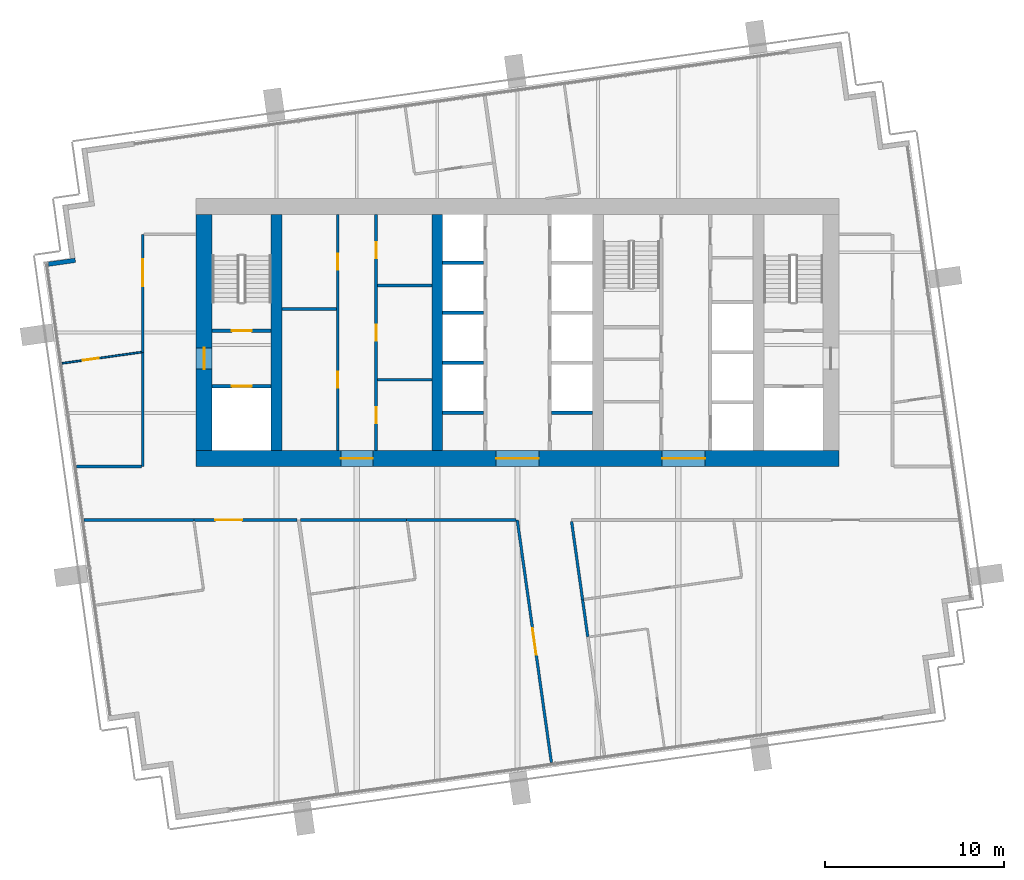
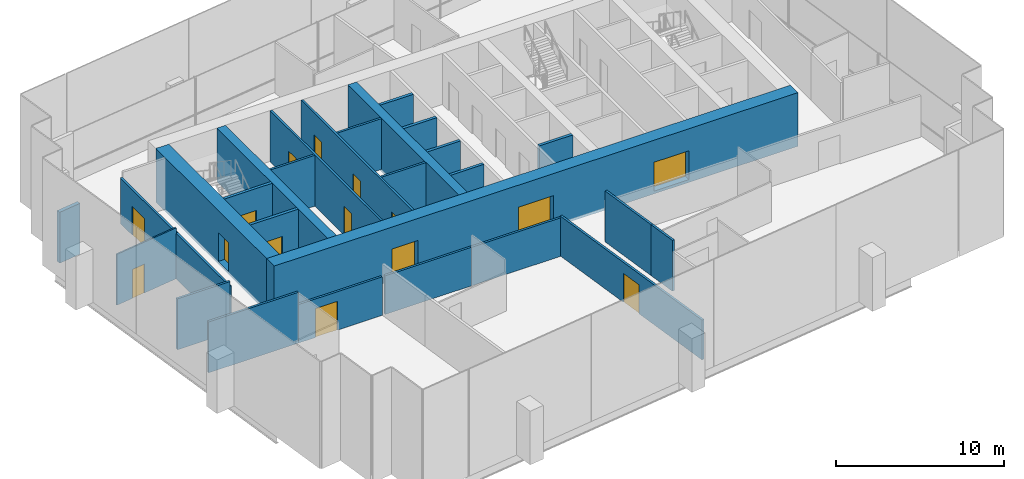
# One storey, part 8 of 15: 28 walls, 15 doors, 15 openings.
"""IFC4 building model written with IfcOpenShell, lengths in metres."""

from ifc_helpers import new_model, si_unit, direction, frame, frame_2d, origin, place, context, subcontext, project, spatial, rectangle, extrude, material, layer, layer_set, type_object, element, fill, save


model = new_model("IFC4")

# Units and contexts
model_context = context("Model", 3, precision=1e-05, world=origin(), true_north=direction((0.0, 1.0)))
body_context = subcontext(model_context, "Body", "Model", "MODEL_VIEW")
ifc_project = project(units=[si_unit("LENGTHUNIT", "METRE"), si_unit("AREAUNIT", "SQUARE_METRE"), si_unit("VOLUMEUNIT", "CUBIC_METRE"), si_unit("PLANEANGLEUNIT", "RADIAN"), si_unit("MASSUNIT", "GRAM", prefix="KILO")], contexts=[model_context])

# Site, building, storey
site_placement = place(None, origin())
site = spatial("IfcSite", under=ifc_project, at=site_placement, CompositionType="ELEMENT")
building_placement = place(site_placement, origin())
building = spatial("IfcBuilding", under=site, at=building_placement, Name="Rattan Terrace Tower", CompositionType="ELEMENT")
storey_placement = place(building_placement, frame((0.0, 0.0, 278.5)))
storey = spatial("IfcBuildingStorey", under=building, at=storey_placement, Name="L64", CompositionType="ELEMENT", Elevation=278.5)

# Wall, openings, doors
ifc_material_1 = material(Name="Gypsum board partition")
ifc_layer_1 = layer(ifc_material_1, 0.14990234375)
ifc_layer_set_1 = layer_set([ifc_layer_1], Name="Core partition 150")
wall_type_1 = type_object("IfcWallType", Name="Core partition 150", PredefinedType="PARTITIONING", material=ifc_layer_set_1)
wall_1_placement = place(storey_placement, frame((-10.074951171875, -6.60009765625, 0.0), z_axis=(0.0, 0.0, 1.0), x_axis=(0.0, 1.0, 0.0)))
wall_1 = element("IfcWall", 1, at=wall_1_placement, inside=storey, type_object=wall_type_1, Name="Core room wall", PredefinedType="PARTITIONING", context=body_context, shape_type="SweptSolid", body=[
    extrude(rectangle(XDim=13.2001953125, YDim=0.14990234375, at=frame_2d((6.60009765625, 0.0))), origin(), (0.0, 0.0, 1.0), 3.699951171875),
])
opening_1_placement = place(wall_1_placement, frame((3.510009765625, 0.0, 0.0)))
opening_1 = element("IfcOpeningElement", 2, at=opening_1_placement, cuts=wall_1, Name="Opening L64-D005", PredefinedType="OPENING", context=body_context, shape_type="SweptSolid", body=[
    extrude(rectangle(XDim=0.89990234375, YDim=2.10009765625, at=frame_2d((0.449951171875, 1.050048828125))), frame((0.0, 0.08544921875, 0.0), z_axis=(0.0, -1.0, 0.0), x_axis=(1.0, 0.0, 0.0)), (0.0, 0.0, 1.0), 0.1708984375),
])
opening_2_placement = place(wall_1_placement, frame((10.110107421875, 0.0, 0.0)))
opening_2 = element("IfcOpeningElement", 3, at=opening_2_placement, cuts=wall_1, Name="Opening L64-D006", PredefinedType="OPENING", context=body_context, shape_type="SweptSolid", body=[
    extrude(rectangle(XDim=0.89990234375, YDim=2.10009765625, at=frame_2d((0.449951171875, 1.050048828125))), frame((0.0, 0.08544921875, 0.0), z_axis=(0.0, -1.0, 0.0), x_axis=(1.0, 0.0, 0.0)), (0.0, 0.0, 1.0), 0.1708984375),
])
ifc_material_2 = material(Name="Hollow-metal fire door leaf")
door_type_1 = type_object("IfcDoorType", Name="Core service room door 900", OperationType="NOTDEFINED", PredefinedType="DOOR", material=ifc_material_2)
door_1_placement = place(opening_1_placement, origin())
door_1 = element("IfcDoor", 4, at=door_1_placement, inside=storey, type_object=door_type_1, Name="Door L64-D005", OperationType="SINGLE_SWING_RIGHT", OverallHeight=2.10009765625, OverallWidth=0.89990234375, PredefinedType="DOOR", context=body_context, shape_type="SweptSolid", body=[
    extrude(rectangle(XDim=0.89990234375, YDim=2.10009765625, at=frame_2d((0.449951171875, 1.050048828125))), frame((0.0, 0.02490234375, 0.0), z_axis=(0.0, -1.0, 0.0), x_axis=(1.0, 0.0, 0.0)), (0.0, 0.0, 1.0), 0.050048828125),
])
fill(opening_1, door_1)
door_2_placement = place(opening_2_placement, origin())
door_2 = element("IfcDoor", 5, at=door_2_placement, inside=storey, type_object=door_type_1, Name="Door L64-D006", OperationType="SINGLE_SWING_LEFT", OverallHeight=2.10009765625, OverallWidth=0.89990234375, PredefinedType="DOOR", context=body_context, shape_type="SweptSolid", body=[
    extrude(rectangle(XDim=0.89990234375, YDim=2.10009765625, at=frame_2d((0.449951171875, 1.050048828125))), frame((0.0, 0.02490234375, 0.0), z_axis=(0.0, -1.0, 0.0), x_axis=(1.0, 0.0, 0.0)), (0.0, 0.0, 1.0), 0.050048828125),
])
fill(opening_2, door_2)

# Wall
wall_2_placement = place(storey_placement, frame((-13.199951171875, 1.320068359375, 0.0), z_axis=(0.0, 0.0, 1.0), x_axis=(1.0, 0.0, 0.0)))
element("IfcWall", 6, at=wall_2_placement, inside=storey, type_object=wall_type_1, Name="Core room wall", PredefinedType="PARTITIONING", context=body_context, shape_type="SweptSolid", body=[
    extrude(rectangle(XDim=3.050048828125, YDim=0.14990234375, at=frame_2d((1.52490234375, 0.0))), origin(), (0.0, 0.0, 1.0), 3.699951171875),
])

# Wall, openings, doors
wall_3_placement = place(storey_placement, frame((-7.925048828125, -6.60009765625, 0.0), z_axis=(0.0, 0.0, 1.0), x_axis=(0.0, 1.0, 0.0)))
wall_3 = element("IfcWall", 7, at=wall_3_placement, inside=storey, type_object=wall_type_1, Name="Core room wall", PredefinedType="PARTITIONING", context=body_context, shape_type="SweptSolid", body=[
    extrude(rectangle(XDim=13.2001953125, YDim=0.14990234375, at=frame_2d((6.60009765625, 0.0))), origin(), (0.0, 0.0, 1.0), 3.699951171875),
])
opening_3_placement = place(wall_3_placement, frame((1.530029296875, 0.0, 0.0)))
opening_3 = element("IfcOpeningElement", 8, at=opening_3_placement, cuts=wall_3, Name="Opening L64-D007", PredefinedType="OPENING", context=body_context, shape_type="SweptSolid", body=[
    extrude(rectangle(XDim=0.89990234375, YDim=2.10009765625, at=frame_2d((0.449951171875, 1.050048828125))), frame((0.0, 0.08544921875, 0.0), z_axis=(0.0, -1.0, 0.0), x_axis=(1.0, 0.0, 0.0)), (0.0, 0.0, 1.0), 0.1708984375),
])
opening_4_placement = place(wall_3_placement, frame((6.14990234375, 0.0, 0.0)))
opening_4 = element("IfcOpeningElement", 9, at=opening_4_placement, cuts=wall_3, Name="Opening L64-D008", PredefinedType="OPENING", context=body_context, shape_type="SweptSolid", body=[
    extrude(rectangle(XDim=0.89990234375, YDim=2.10009765625, at=frame_2d((0.449951171875, 1.050048828125))), frame((0.0, 0.08544921875, 0.0), z_axis=(0.0, -1.0, 0.0), x_axis=(1.0, 0.0, 0.0)), (0.0, 0.0, 1.0), 0.1708984375),
])
opening_5_placement = place(wall_3_placement, frame((10.77001953125, 0.0, 0.0)))
opening_5 = element("IfcOpeningElement", 10, at=opening_5_placement, cuts=wall_3, Name="Opening L64-D009", PredefinedType="OPENING", context=body_context, shape_type="SweptSolid", body=[
    extrude(rectangle(XDim=0.89990234375, YDim=2.10009765625, at=frame_2d((0.449951171875, 1.050048828125))), frame((0.0, 0.08544921875, 0.0), z_axis=(0.0, -1.0, 0.0), x_axis=(1.0, 0.0, 0.0)), (0.0, 0.0, 1.0), 0.1708984375),
])
door_3_placement = place(opening_3_placement, origin())
door_3 = element("IfcDoor", 11, at=door_3_placement, inside=storey, type_object=door_type_1, Name="Door L64-D007", OperationType="SINGLE_SWING_RIGHT", OverallHeight=2.10009765625, OverallWidth=0.89990234375, PredefinedType="DOOR", context=body_context, shape_type="SweptSolid", body=[
    extrude(rectangle(XDim=0.89990234375, YDim=2.10009765625, at=frame_2d((0.449951171875, 1.050048828125))), frame((0.0, 0.02490234375, 0.0), z_axis=(0.0, -1.0, 0.0), x_axis=(1.0, 0.0, 0.0)), (0.0, 0.0, 1.0), 0.050048828125),
])
fill(opening_3, door_3)
door_4_placement = place(opening_4_placement, origin())
door_4 = element("IfcDoor", 12, at=door_4_placement, inside=storey, type_object=door_type_1, Name="Door L64-D008", OperationType="SINGLE_SWING_LEFT", OverallHeight=2.10009765625, OverallWidth=0.89990234375, PredefinedType="DOOR", context=body_context, shape_type="SweptSolid", body=[
    extrude(rectangle(XDim=0.89990234375, YDim=2.10009765625, at=frame_2d((0.449951171875, 1.050048828125))), frame((0.0, 0.02490234375, 0.0), z_axis=(0.0, -1.0, 0.0), x_axis=(1.0, 0.0, 0.0)), (0.0, 0.0, 1.0), 0.050048828125),
])
fill(opening_4, door_4)
door_5_placement = place(opening_5_placement, origin())
door_5 = element("IfcDoor", 13, at=door_5_placement, inside=storey, type_object=door_type_1, Name="Door L64-D009", OperationType="SINGLE_SWING_RIGHT", OverallHeight=2.10009765625, OverallWidth=0.89990234375, PredefinedType="DOOR", context=body_context, shape_type="SweptSolid", body=[
    extrude(rectangle(XDim=0.89990234375, YDim=2.10009765625, at=frame_2d((0.449951171875, 1.050048828125))), frame((0.0, 0.02490234375, 0.0), z_axis=(0.0, -1.0, 0.0), x_axis=(1.0, 0.0, 0.0)), (0.0, 0.0, 1.0), 0.050048828125),
])
fill(opening_5, door_5)

# Walls
for number, where, z_axis, x_axis, name in (
    (14, (-7.85009765625, -2.639892578125, 0.0), (0.0, 0.0, 1.0), (1.0, 0.0, 0.0), "Core room wall"),
    (15, (-7.85009765625, 2.639892578125, 0.0), (0.0, 0.0, 1.0), (1.0, 0.0, 0.0), "Core room wall"),
):
    element("IfcWall", number, at=place(storey_placement, frame(where, z_axis=z_axis, x_axis=x_axis)), inside=storey, type_object=wall_type_1, Name=name, PredefinedType="PARTITIONING", context=body_context, shape_type="SweptSolid", body=[
        extrude(rectangle(XDim=3.050048828125, YDim=0.14990234375, at=frame_2d((1.52490234375, 0.0))), origin(), (0.0, 0.0, 1.0), 3.699951171875),
    ])

# Wall, opening, door
ifc_material_3 = material(Name="Gypsum board partition")
ifc_layer_2 = layer(ifc_material_3, 0.199951171875)
ifc_layer_set_2 = layer_set([ifc_layer_2], Name="Core partition 200")
wall_type_2 = type_object("IfcWallType", Name="Core partition 200", PredefinedType="PARTITIONING", material=ifc_layer_set_2)
wall_4_placement = place(storey_placement, frame((-17.10009765625, -3.0, 0.0), z_axis=(0.0, 0.0, 1.0), x_axis=(1.0, 0.0, 0.0)))
wall_4 = element("IfcWall", 16, at=wall_4_placement, inside=storey, type_object=wall_type_2, Name="Fire-fighting lobby wall", PredefinedType="PARTITIONING", context=body_context, shape_type="SweptSolid", body=[
    extrude(rectangle(XDim=3.300048828125, YDim=0.199951171875, at=frame_2d((1.64990234375, 0.0))), origin(), (0.0, 0.0, 1.0), 3.699951171875),
])
opening_6_placement = place(wall_4_placement, frame((1.10009765625, 0.0, 0.0)))
opening_6 = element("IfcOpeningElement", 17, at=opening_6_placement, cuts=wall_4, Name="Opening L64-LD-FF1", PredefinedType="OPENING", context=body_context, shape_type="SweptSolid", body=[
    extrude(rectangle(XDim=1.10009765625, YDim=2.10009765625, at=frame_2d((0.550048828125, 1.050048828125))), frame((0.0, 0.110595703125, 0.0), z_axis=(0.0, -1.0, 0.0), x_axis=(1.0, 0.0, 0.0)), (0.0, 0.0, 1.0), 0.220947265625),
])
ifc_material_4 = material(Name="Brushed stainless landing door panel")
door_type_2 = type_object("IfcDoorType", Name="Core lift landing door 1100", OperationType="DOUBLE_DOOR_SLIDING", PredefinedType="DOOR", material=ifc_material_4)
door_6_placement = place(opening_6_placement, origin())
door_6 = element("IfcDoor", 18, at=door_6_placement, inside=storey, type_object=door_type_2, Name="Door L64-LD-FF1", OperationType="DOUBLE_DOOR_SLIDING", OverallHeight=2.10009765625, OverallWidth=1.10009765625, PredefinedType="DOOR", context=body_context, shape_type="SweptSolid", body=[
    extrude(rectangle(XDim=1.10009765625, YDim=2.10009765625, at=frame_2d((0.550048828125, 1.050048828125))), frame((0.0, 0.02490234375, 0.0), z_axis=(0.0, -1.0, 0.0), x_axis=(1.0, 0.0, 0.0)), (0.0, 0.0, 1.0), 0.050048828125),
])
fill(opening_6, door_6)

wall_5_placement = place(storey_placement, frame((-17.10009765625, 0.10009765625, 0.0), z_axis=(0.0, 0.0, 1.0), x_axis=(1.0, 0.0, 0.0)))
wall_5 = element("IfcWall", 19, at=wall_5_placement, inside=storey, type_object=wall_type_2, Name="Stair enclosure wall", PredefinedType="PARTITIONING", context=body_context, shape_type="SweptSolid", body=[
    extrude(rectangle(XDim=3.300048828125, YDim=0.199951171875, at=frame_2d((1.64990234375, 0.0))), origin(), (0.0, 0.0, 1.0), 3.699951171875),
])
opening_7_placement = place(wall_5_placement, frame((1.10009765625, 0.0, 0.0)))
opening_7 = element("IfcOpeningElement", 20, at=opening_7_placement, cuts=wall_5, Name="Opening L64-D002", PredefinedType="OPENING", context=body_context, shape_type="SweptSolid", body=[
    extrude(rectangle(XDim=1.10009765625, YDim=2.10009765625, at=frame_2d((0.550048828125, 1.050048828125))), frame((0.0, 0.110595703125, 0.0), z_axis=(0.0, -1.0, 0.0), x_axis=(1.0, 0.0, 0.0)), (0.0, 0.0, 1.0), 0.220947265625),
])
ifc_material_5 = material(Name="Hollow-metal fire door leaf")
door_type_3 = type_object("IfcDoorType", Name="Core stair door 1100", OperationType="NOTDEFINED", PredefinedType="DOOR", material=ifc_material_5)
door_7_placement = place(opening_7_placement, origin())
door_7 = element("IfcDoor", 21, at=door_7_placement, inside=storey, type_object=door_type_3, Name="Door L64-D002", OperationType="SINGLE_SWING_LEFT", OverallHeight=2.10009765625, OverallWidth=1.10009765625, PredefinedType="DOOR", context=body_context, shape_type="SweptSolid", body=[
    extrude(rectangle(XDim=1.10009765625, YDim=2.10009765625, at=frame_2d((0.550048828125, 1.050048828125))), frame((0.0, 0.02490234375, 0.0), z_axis=(0.0, -1.0, 0.0), x_axis=(1.0, 0.0, 0.0)), (0.0, 0.0, 1.0), 0.050048828125),
])
fill(opening_7, door_7)

# Wall, openings, doors
ifc_material_6 = material(Name="Concrete C50/60", Category="concrete")
ifc_layer_3 = layer(ifc_material_6, 0.89990234375)
ifc_layer_set_3 = layer_set([ifc_layer_3], Name="Core ring wall 900 C50/60")
wall_type_3 = type_object("IfcWallType", Name="Core ring wall 900 C50/60", PredefinedType="SHEAR", material=ifc_layer_set_3)
wall_6_placement = place(storey_placement, frame((-18.0, -7.050048828125, -0.199951171875), z_axis=(0.0, 0.0, 1.0), x_axis=(1.0, 0.0, 0.0)))
wall_6 = element("IfcWall", 22, at=wall_6_placement, inside=storey, type_object=wall_type_3, Name="Rear core wall south", PredefinedType="SHEAR", context=body_context, shape_type="SweptSolid", body=[
    extrude(rectangle(XDim=36.0, YDim=0.89990234375, at=frame_2d((18.0, 0.0))), origin(), (0.0, 0.0, 1.0), 3.89990234375),
])
opening_8_placement = place(wall_6_placement, frame((8.10009765625, 0.0, 0.199951171875)))
opening_8 = element("IfcOpeningElement", 23, at=opening_8_placement, cuts=wall_6, Name="Opening L64-D010", PredefinedType="OPENING", context=body_context, shape_type="SweptSolid", body=[
    extrude(rectangle(XDim=1.800048828125, YDim=2.10009765625, at=frame_2d((0.89990234375, 1.050048828125))), frame((0.0, 0.46044921875, 0.0), z_axis=(0.0, -1.0, 0.0), x_axis=(1.0, 0.0, 0.0)), (0.0, 0.0, 1.0), 0.9208984375),
])
opening_9_placement = place(wall_6_placement, frame((16.800048828125, 0.0, 0.199951171875)))
opening_9 = element("IfcOpeningElement", 24, at=opening_9_placement, cuts=wall_6, Name="Opening L64-D013", PredefinedType="OPENING", context=body_context, shape_type="SweptSolid", body=[
    extrude(rectangle(XDim=2.39990234375, YDim=2.10009765625, at=frame_2d((1.199951171875, 1.050048828125))), frame((0.0, 0.46044921875, 0.0), z_axis=(0.0, -1.0, 0.0), x_axis=(1.0, 0.0, 0.0)), (0.0, 0.0, 1.0), 0.9208984375),
])
opening_10_placement = place(wall_6_placement, frame((26.10009765625, 0.0, 0.199951171875)))
opening_10 = element("IfcOpeningElement", 25, at=opening_10_placement, cuts=wall_6, Name="Opening L64-D018", PredefinedType="OPENING", context=body_context, shape_type="SweptSolid", body=[
    extrude(rectangle(XDim=2.39990234375, YDim=2.10009765625, at=frame_2d((1.199951171875, 1.050048828125))), frame((0.0, 0.46044921875, 0.0), z_axis=(0.0, -1.0, 0.0), x_axis=(1.0, 0.0, 0.0)), (0.0, 0.0, 1.0), 0.9208984375),
])
ifc_material_7 = material(Name="Hollow-metal fire door leaf")
door_type_4 = type_object("IfcDoorType", Name="Core lift lobby door 2400", OperationType="NOTDEFINED", PredefinedType="DOOR", material=ifc_material_7)
door_8_placement = place(opening_9_placement, origin())
door_8 = element("IfcDoor", 26, at=door_8_placement, inside=storey, type_object=door_type_4, Name="Door L64-D013", OperationType="DOUBLE_DOOR_DOUBLE_SWING", OverallHeight=2.10009765625, OverallWidth=2.39990234375, PredefinedType="DOOR", context=body_context, shape_type="SweptSolid", body=[
    extrude(rectangle(XDim=2.39990234375, YDim=2.10009765625, at=frame_2d((1.199951171875, 1.050048828125))), frame((0.0, 0.02490234375, 0.0), z_axis=(0.0, -1.0, 0.0), x_axis=(1.0, 0.0, 0.0)), (0.0, 0.0, 1.0), 0.050048828125),
])
fill(opening_9, door_8)
door_9_placement = place(opening_10_placement, origin())
door_9 = element("IfcDoor", 27, at=door_9_placement, inside=storey, type_object=door_type_4, Name="Door L64-D018", OperationType="DOUBLE_DOOR_DOUBLE_SWING", OverallHeight=2.10009765625, OverallWidth=2.39990234375, PredefinedType="DOOR", context=body_context, shape_type="SweptSolid", body=[
    extrude(rectangle(XDim=2.39990234375, YDim=2.10009765625, at=frame_2d((1.199951171875, 1.050048828125))), frame((0.0, 0.02490234375, 0.0), z_axis=(0.0, -1.0, 0.0), x_axis=(1.0, 0.0, 0.0)), (0.0, 0.0, 1.0), 0.050048828125),
])
fill(opening_10, door_9)
ifc_material_8 = material(Name="Hollow-metal fire door leaf")
door_type_5 = type_object("IfcDoorType", Name="Core service room door 1800", OperationType="NOTDEFINED", PredefinedType="DOOR", material=ifc_material_8)
door_10_placement = place(opening_8_placement, origin())
door_10 = element("IfcDoor", 28, at=door_10_placement, inside=storey, type_object=door_type_5, Name="Door L64-D010", OperationType="SINGLE_SWING_LEFT", OverallHeight=2.10009765625, OverallWidth=1.800048828125, PredefinedType="DOOR", context=body_context, shape_type="SweptSolid", body=[
    extrude(rectangle(XDim=1.800048828125, YDim=2.10009765625, at=frame_2d((0.89990234375, 1.050048828125))), frame((0.0, 0.02490234375, 0.0), z_axis=(0.0, -1.0, 0.0), x_axis=(1.0, 0.0, 0.0)), (0.0, 0.0, 1.0), 0.050048828125),
])
fill(opening_8, door_10)

# Wall, opening, door
wall_7_placement = place(storey_placement, frame((-17.550048828125, -6.60009765625, -0.199951171875), z_axis=(0.0, 0.0, 1.0), x_axis=(0.0, 1.0, 0.0)))
wall_7 = element("IfcWall", 29, at=wall_7_placement, inside=storey, type_object=wall_type_3, Name="Rear core wall west", PredefinedType="SHEAR", context=body_context, shape_type="SweptSolid", body=[
    extrude(rectangle(XDim=13.2001953125, YDim=0.89990234375, at=frame_2d((6.60009765625, 0.0))), origin(), (0.0, 0.0, 1.0), 3.89990234375),
])
opening_11_placement = place(wall_7_placement, frame((4.550048828125, 0.0, 0.199951171875)))
opening_11 = element("IfcOpeningElement", 30, at=opening_11_placement, cuts=wall_7, Name="Opening L64-D001", PredefinedType="OPENING", context=body_context, shape_type="SweptSolid", body=[
    extrude(rectangle(XDim=1.199951171875, YDim=2.10009765625, at=frame_2d((0.60009765625, 1.050048828125))), frame((0.0, 0.46044921875, 0.0), z_axis=(0.0, -1.0, 0.0), x_axis=(1.0, 0.0, 0.0)), (0.0, 0.0, 1.0), 0.9208984375),
])
ifc_material_9 = material(Name="Hollow-metal fire door leaf")
door_type_6 = type_object("IfcDoorType", Name="Core fire-fighting lobby door 1200", OperationType="NOTDEFINED", PredefinedType="DOOR", material=ifc_material_9)
door_11_placement = place(opening_11_placement, origin())
door_11 = element("IfcDoor", 31, at=door_11_placement, inside=storey, type_object=door_type_6, Name="Door L64-D001", OperationType="SINGLE_SWING_RIGHT", OverallHeight=2.10009765625, OverallWidth=1.199951171875, PredefinedType="DOOR", context=body_context, shape_type="SweptSolid", body=[
    extrude(rectangle(XDim=1.199951171875, YDim=2.10009765625, at=frame_2d((0.60009765625, 1.050048828125))), frame((0.0, 0.02490234375, 0.0), z_axis=(0.0, -1.0, 0.0), x_axis=(1.0, 0.0, 0.0)), (0.0, 0.0, 1.0), 0.050048828125),
])
fill(opening_11, door_11)

# Walls
ifc_material_10 = material(Name="Concrete C50/60", Category="concrete")
ifc_layer_4 = layer(ifc_material_10, 0.60009765625)
ifc_layer_set_4 = layer_set([ifc_layer_4], Name="Core spine wall 600 C50/60")
wall_type_4 = type_object("IfcWallType", Name="Core spine wall 600 C50/60", PredefinedType="SHEAR", material=ifc_layer_set_4)
for number, where, z_axis, x_axis, name in (
    (32, (-13.5, -6.60009765625, -0.199951171875), (0.0, 0.0, 1.0), (0.0, 1.0, 0.0), "Core spine wall 1"),
    (33, (-4.5, -6.60009765625, -0.199951171875), (0.0, 0.0, 1.0), (0.0, 1.0, 0.0), "Core spine wall 2"),
):
    element("IfcWall", number, at=place(storey_placement, frame(where, z_axis=z_axis, x_axis=x_axis)), inside=storey, type_object=wall_type_4, Name=name, PredefinedType="SHEAR", context=body_context, shape_type="SweptSolid", body=[
        extrude(rectangle(XDim=13.2001953125, YDim=0.60009765625, at=frame_2d((6.60009765625, 0.0))), origin(), (0.0, 0.0, 1.0), 3.89990234375),
    ])
ifc_material_11 = material(Name="Insulated aluminium-clad stud wall", Category="aluminium")
ifc_layer_5 = layer(ifc_material_11, 0.25)
ifc_layer_set_5 = layer_set([ifc_layer_5], Name="Facade Riser Wall 250")
wall_type_5 = type_object("IfcWallType", Name="Facade Riser Wall 250", PredefinedType="SOLIDWALL", material=ifc_layer_set_5)
wall_8_placement = place(storey_placement, frame((-24.769287109375, 4.045654296875, 0.0), z_axis=(0.0, 0.0, 1.0), x_axis=(-0.990260716096, -0.139225407725, 0.0)))
element("IfcWall", 34, at=wall_8_placement, inside=storey, type_object=wall_type_5, Name="Riser wall L64-15", PredefinedType="SOLIDWALL", context=body_context, shape_type="SweptSolid", body=[
    extrude(rectangle(XDim=1.525634765625, YDim=0.25, at=frame_2d((0.7626953125, 0.0))), origin(), (0.0, 0.0, 1.0), 3.699951171875),
])

# Wall, opening, door
ifc_material_12 = material(Name="Gypsum board partition on steel studs", Category="steel")
ifc_layer_6 = layer(ifc_material_12, 0.10009765625)
ifc_layer_set_6 = layer_set([ifc_layer_6], Name="Floors Partition 100")
wall_type_6 = type_object("IfcWallType", Name="Floors Partition 100", PredefinedType="PARTITIONING", material=ifc_layer_set_6)
wall_9_placement = place(storey_placement, frame((-21.068115234375, -1.097900390625, 0.0), z_axis=(0.0, 0.0, 1.0), x_axis=(-0.990271353113, -0.139149729442, 0.0)))
wall_9 = element("IfcWall", 35, at=wall_9_placement, inside=storey, type_object=wall_type_6, Name="pt-L64-029", PredefinedType="PARTITIONING", context=body_context, shape_type="SweptSolid", body=[
    extrude(rectangle(XDim=4.484619140625, YDim=0.10009765625, at=frame_2d((2.2421875, 0.0))), origin(), (0.0, 0.0, 1.0), 3.699951171875),
])
opening_12_placement = place(wall_9_placement, frame((2.408935546875, 0.0, 0.0)))
opening_12 = element("IfcOpeningElement", 36, at=opening_12_placement, cuts=wall_9, Name="Opening L64-D108", PredefinedType="OPENING", context=body_context, shape_type="SweptSolid", body=[
    extrude(rectangle(XDim=0.89990234375, YDim=2.10009765625, at=frame_2d((0.449951171875, 1.050048828125))), frame((0.0, 0.060546875, 0.0), z_axis=(0.0, -1.0, 0.0), x_axis=(1.0, 0.0, 0.0)), (0.0, 0.0, 1.0), 0.12109375),
])
ifc_material_13 = material(Name="Solid core timber door, painted", Category="wood")
door_type_7 = type_object("IfcDoorType", Name="Floors Door 900x2100", OperationType="NOTDEFINED", PredefinedType="DOOR", material=ifc_material_13)
door_12_placement = place(opening_12_placement, origin())
door_12 = element("IfcDoor", 37, at=door_12_placement, inside=storey, type_object=door_type_7, Name="d-L64-108", OperationType="SINGLE_SWING_RIGHT", OverallHeight=2.10009765625, OverallWidth=0.89990234375, PredefinedType="DOOR", context=body_context, shape_type="SweptSolid", body=[
    extrude(rectangle(XDim=0.89990234375, YDim=2.10009765625, at=frame_2d((0.449951171875, 1.050048828125))), frame((0.0, 0.02490234375, 0.0), z_axis=(0.0, -1.0, 0.0), x_axis=(1.0, 0.0, 0.0)), (0.0, 0.0, 1.0), 0.050048828125),
])
fill(opening_12, door_12)

ifc_material_14 = material(Name="Gypsum board partition on steel studs, fire rated", Category="steel")
ifc_layer_7 = layer(ifc_material_14, 0.14990234375)
ifc_layer_set_7 = layer_set([ifc_layer_7], Name="Floors Tenancy Wall 150")
wall_type_7 = type_object("IfcWallType", Name="Floors Tenancy Wall 150", PredefinedType="PARTITIONING", material=ifc_layer_set_7)
wall_10_placement = place(storey_placement, frame((-12.342041015625, -10.5, 0.0), z_axis=(0.0, 0.0, 1.0), x_axis=(-1.0, 0.0, 0.0)))
wall_10 = element("IfcWall", 38, at=wall_10_placement, inside=storey, type_object=wall_type_7, Name="pt-L64-001", PredefinedType="PARTITIONING", context=body_context, shape_type="SweptSolid", body=[
    extrude(rectangle(XDim=5.77392578125, YDim=0.14990234375, at=frame_2d((2.886962890625, 0.0))), origin(), (0.0, 0.0, 1.0), 2.800048828125),
])
opening_13_placement = place(wall_10_placement, frame((3.080078125, 0.0, 0.0)))
opening_13 = element("IfcOpeningElement", 39, at=opening_13_placement, cuts=wall_10, Name="Opening L64-D100", PredefinedType="OPENING", context=body_context, shape_type="SweptSolid", body=[
    extrude(rectangle(XDim=1.5, YDim=2.10009765625, at=frame_2d((0.75, 1.050048828125))), frame((0.0, 0.08544921875, 0.0), z_axis=(0.0, -1.0, 0.0), x_axis=(1.0, 0.0, 0.0)), (0.0, 0.0, 1.0), 0.1708984375),
])
ifc_material_15 = material(Name="Steel fire door set", Category="steel")
door_type_8 = type_object("IfcDoorType", Name="Floors Unit Door Pair FD30S 1500x2100", OperationType="NOTDEFINED", PredefinedType="DOOR", material=ifc_material_15)
door_13_placement = place(opening_13_placement, origin())
door_13 = element("IfcDoor", 40, at=door_13_placement, inside=storey, type_object=door_type_8, Name="d-L64-100", OperationType="DOUBLE_DOOR_SINGLE_SWING", OverallHeight=2.10009765625, OverallWidth=1.5, PredefinedType="DOOR", context=body_context, shape_type="SweptSolid", body=[
    extrude(rectangle(XDim=1.5, YDim=2.10009765625, at=frame_2d((0.75, 1.050048828125))), frame((0.0, 0.02490234375, 0.0), z_axis=(0.0, -1.0, 0.0), x_axis=(1.0, 0.0, 0.0)), (0.0, 0.0, 1.0), 0.050048828125),
])
fill(opening_13, door_13)

# Walls
wall_11_placement = place(storey_placement, frame((-18.115966796875, -10.5, 0.0), z_axis=(0.0, 0.0, 1.0), x_axis=(-1.0, 0.0, 0.0)))
element("IfcWall", 41, at=wall_11_placement, inside=storey, type_object=wall_type_7, Name="pt-L64-002", PredefinedType="PARTITIONING", context=body_context, shape_type="SweptSolid", body=[
    extrude(rectangle(XDim=6.158935546875, YDim=0.14990234375, at=frame_2d((3.07958984375, 0.0))), origin(), (0.0, 0.0, 1.0), 3.699951171875),
])
wall_12_placement = place(storey_placement, frame((-0.089111328125, -10.5, 0.0), z_axis=(0.0, 0.0, 1.0), x_axis=(-1.0, 0.0, 0.0)))
element("IfcWall", 42, at=wall_12_placement, inside=storey, type_object=wall_type_7, Name="pt-L64-003", PredefinedType="PARTITIONING", context=body_context, shape_type="SweptSolid", body=[
    extrude(rectangle(XDim=6.125, YDim=0.14990234375, at=frame_2d((3.0625, 0.0))), origin(), (0.0, 0.0, 1.0), 2.800048828125),
])

# Wall, opening, door
wall_13_placement = place(storey_placement, frame((1.89501953125, -24.087890625, 0.0), z_axis=(0.0, 0.0, 1.0), x_axis=(-0.139191583649, 0.990265470993, 0.0)))
wall_13 = element("IfcWall", 43, at=wall_13_placement, inside=storey, type_object=wall_type_7, Name="pt-L64-004", PredefinedType="PARTITIONING", context=body_context, shape_type="SweptSolid", body=[
    extrude(rectangle(XDim=13.721435546875, YDim=0.14990234375, at=frame_2d((6.86083984375, 0.0))), origin(), (0.0, 0.0, 1.0), 2.89990234375),
])
opening_14_placement = place(wall_13_placement, frame((6.111083984375, 0.0, 0.0)))
opening_14 = element("IfcOpeningElement", 44, at=opening_14_placement, cuts=wall_13, Name="Opening L64-D102", PredefinedType="OPENING", context=body_context, shape_type="SweptSolid", body=[
    extrude(rectangle(XDim=1.5, YDim=2.10009765625, at=frame_2d((0.75, 1.050048828125))), frame((0.0, 0.08544921875, 0.0), z_axis=(0.0, -1.0, 0.0), x_axis=(1.0, 0.0, 0.0)), (0.0, 0.0, 1.0), 0.1708984375),
])
door_14_placement = place(opening_14_placement, origin())
door_14 = element("IfcDoor", 45, at=door_14_placement, inside=storey, type_object=door_type_8, Name="d-L64-102", OperationType="DOUBLE_DOOR_SINGLE_SWING", OverallHeight=2.10009765625, OverallWidth=1.5, PredefinedType="DOOR", context=body_context, shape_type="SweptSolid", body=[
    extrude(rectangle(XDim=1.5, YDim=2.10009765625, at=frame_2d((0.75, 1.050048828125))), frame((0.0, 0.02490234375, 0.0), z_axis=(0.0, -1.0, 0.0), x_axis=(1.0, 0.0, 0.0)), (0.0, 0.0, 1.0), 0.050048828125),
])
fill(opening_14, door_14)

# Walls
wall_14_placement = place(storey_placement, frame((-6.214111328125, -10.5, 0.0), z_axis=(0.0, 0.0, 1.0), x_axis=(-1.0, 0.0, 0.0)))
element("IfcWall", 46, at=wall_14_placement, inside=storey, type_object=wall_type_7, Name="pt-L64-005", PredefinedType="PARTITIONING", context=body_context, shape_type="SweptSolid", body=[
    extrude(rectangle(XDim=5.936767578125, YDim=0.14990234375, at=frame_2d((2.96826171875, 0.0))), origin(), (0.0, 0.0, 1.0), 2.800048828125),
])
wall_15_placement = place(storey_placement, frame((3.64404296875, -14.97607421875, 0.0), z_axis=(0.0, 0.0, 1.0), x_axis=(0.13897247285, -0.990296244459, 0.0)))
element("IfcWall", 47, at=wall_15_placement, inside=storey, type_object=wall_type_7, Name="pt-L64-006", PredefinedType="PARTITIONING", context=body_context, shape_type="SweptSolid", body=[
    extrude(rectangle(XDim=2.080078125, YDim=0.14990234375, at=frame_2d((1.0400390625, 0.0))), origin(), (0.0, 0.0, 1.0), 3.699951171875),
])
wall_16_placement = place(storey_placement, frame((3.027099609375, -10.5849609375, 0.0), z_axis=(0.0, 0.0, 1.0), x_axis=(0.139131664816, -0.990273891328, 0.0)))
element("IfcWall", 48, at=wall_16_placement, inside=storey, type_object=wall_type_7, Name="pt-L64-009", PredefinedType="PARTITIONING", context=body_context, shape_type="SweptSolid", body=[
    extrude(rectangle(XDim=4.434326171875, YDim=0.14990234375, at=frame_2d((2.21728515625, 0.0))), origin(), (0.0, 0.0, 1.0), 3.699951171875),
])

# Wall, opening, door
wall_17_placement = place(storey_placement, frame((-21.0, -1.10791015625, 0.0), z_axis=(0.0, 0.0, 1.0), x_axis=(0.0, 1.0, 0.0)))
wall_17 = element("IfcWall", 49, at=wall_17_placement, inside=storey, type_object=wall_type_7, Name="pt-L64-011", PredefinedType="PARTITIONING", context=body_context, shape_type="SweptSolid", body=[
    extrude(rectangle(XDim=6.60791015625, YDim=0.14990234375, at=frame_2d((3.303955078125, 0.0))), origin(), (0.0, 0.0, 1.0), 3.300048828125),
])
opening_15_placement = place(wall_17_placement, frame((3.7060546875, 0.0, 0.0)))
opening_15 = element("IfcOpeningElement", 50, at=opening_15_placement, cuts=wall_17, Name="Opening L64-D107", PredefinedType="OPENING", context=body_context, shape_type="SweptSolid", body=[
    extrude(rectangle(XDim=1.5, YDim=2.10009765625, at=frame_2d((0.75, 1.050048828125))), frame((0.0, 0.08544921875, 0.0), z_axis=(0.0, -1.0, 0.0), x_axis=(1.0, 0.0, 0.0)), (0.0, 0.0, 1.0), 0.1708984375),
])
door_15_placement = place(opening_15_placement, origin())
door_15 = element("IfcDoor", 51, at=door_15_placement, inside=storey, type_object=door_type_8, Name="d-L64-107", OperationType="DOUBLE_DOOR_SINGLE_SWING", OverallHeight=2.10009765625, OverallWidth=1.5, PredefinedType="DOOR", context=body_context, shape_type="SweptSolid", body=[
    extrude(rectangle(XDim=1.5, YDim=2.10009765625, at=frame_2d((0.75, 1.050048828125))), frame((0.0, 0.02490234375, 0.0), z_axis=(0.0, -1.0, 0.0), x_axis=(1.0, 0.0, 0.0)), (0.0, 0.0, 1.0), 0.050048828125),
])
fill(opening_15, door_15)

# Walls
wall_18_placement = place(storey_placement, frame((-24.696044921875, -7.5, 0.0), z_axis=(0.0, 0.0, 1.0), x_axis=(1.0, 0.0, 0.0)))
element("IfcWall", 52, at=wall_18_placement, inside=storey, type_object=wall_type_7, Name="pt-L64-013", PredefinedType="PARTITIONING", context=body_context, shape_type="SweptSolid", body=[
    extrude(rectangle(XDim=3.62109375, YDim=0.14990234375, at=frame_2d((1.810546875, 0.0))), origin(), (0.0, 0.0, 1.0), 3.699951171875),
])
wall_19_placement = place(storey_placement, frame((-21.0, -7.5, 0.0), z_axis=(0.0, 0.0, 1.0), x_axis=(0.0, 1.0, 0.0)))
element("IfcWall", 53, at=wall_19_placement, inside=storey, type_object=wall_type_7, Name="pt-L64-014", PredefinedType="PARTITIONING", context=body_context, shape_type="SweptSolid", body=[
    extrude(rectangle(XDim=6.39208984375, YDim=0.14990234375, at=frame_2d((3.196044921875, 0.0))), origin(), (0.0, 0.0, 1.0), 3.300048828125),
])
ifc_material_16 = material(Name="Gypsum shaft wall system")
ifc_layer_8 = layer(ifc_material_16, 0.199951171875)
ifc_layer_set_8 = layer_set([ifc_layer_8], Name="Lift shaft wall 200")
wall_type_8 = type_object("IfcWallType", Name="Lift shaft wall 200", PredefinedType="PARTITIONING", material=ifc_layer_set_8)
for number, where, z_axis, x_axis, name in (
    (54, (-4.199951171875, -1.699951171875, 0.0), (0.0, 0.0, 1.0), (1.0, 0.0, 0.0), "Lift shaft wall"),
    (55, (-4.199951171875, 1.10009765625, 0.0), (0.0, 0.0, 1.0), (1.0, 0.0, 0.0), "Lift shaft wall"),
    (56, (-4.199951171875, 3.89990234375, 0.0), (0.0, 0.0, 1.0), (1.0, 0.0, 0.0), "Lift shaft wall"),
    (57, (-4.199951171875, -4.5, 0.0), (0.0, 0.0, 1.0), (1.0, 0.0, 0.0), "Lift shaft wall"),
    (58, (1.89990234375, -4.5, 0.0), (0.0, 0.0, 1.0), (1.0, 0.0, 0.0), "Lift shaft wall"),
):
    element("IfcWall", number, at=place(storey_placement, frame(where, z_axis=z_axis, x_axis=x_axis)), inside=storey, type_object=wall_type_8, Name=name, PredefinedType="PARTITIONING", context=body_context, shape_type="SweptSolid", body=[
        extrude(rectangle(XDim=2.300048828125, YDim=0.199951171875, at=frame_2d((1.14990234375, 0.0))), origin(), (0.0, 0.0, 1.0), 3.699951171875),
    ])

save(model, "model.ifc")
